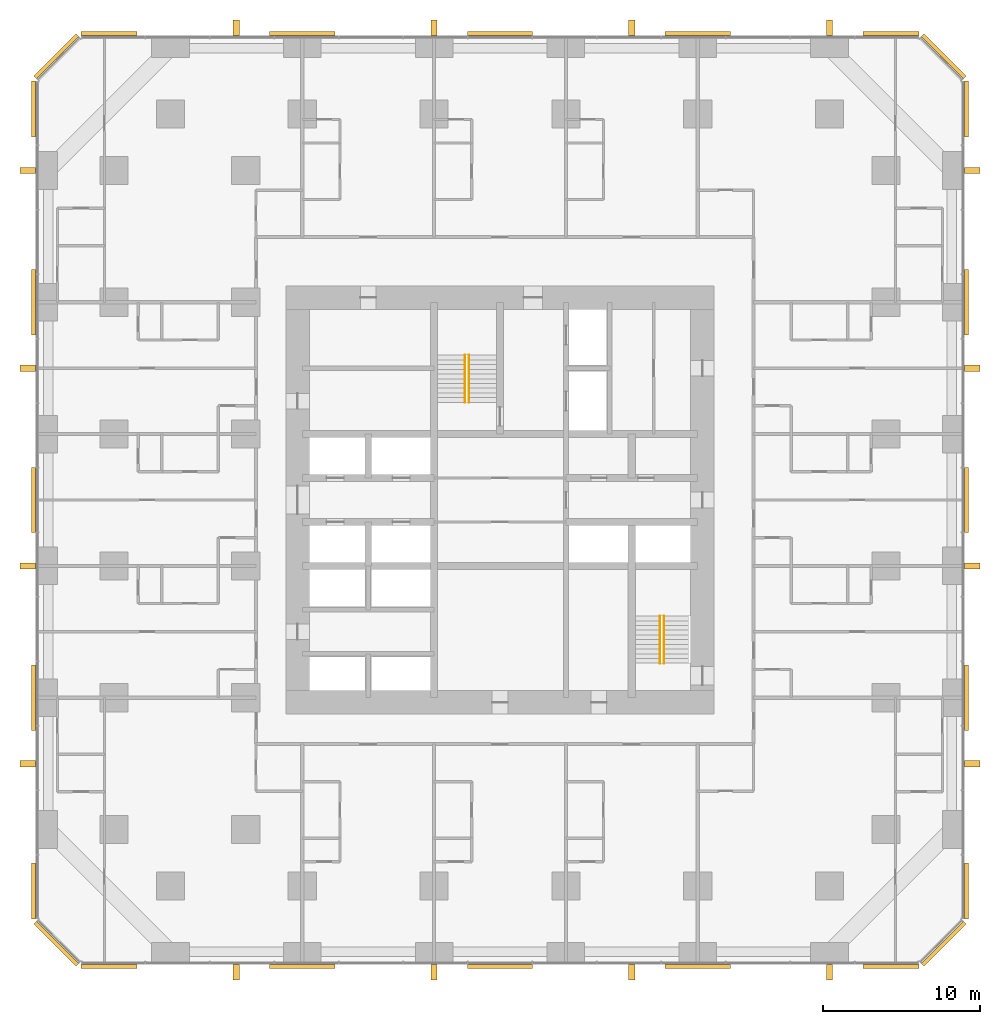
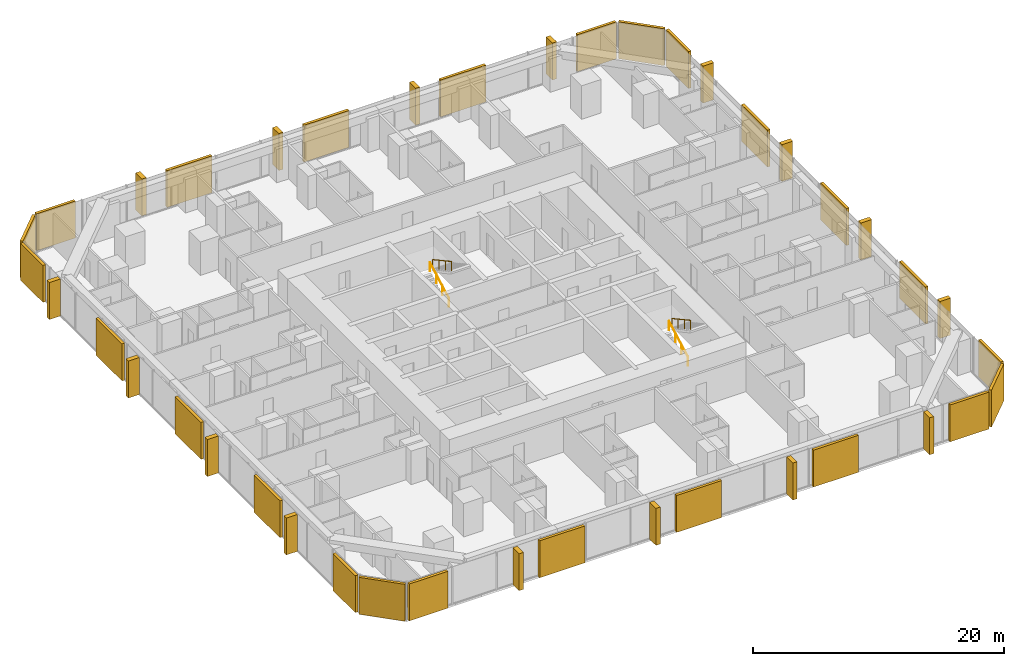
# One storey, part 17 of 17: 24 coverings, 16 shading devices, 4 railings.
"""IFC4 building model written with IfcOpenShell, lengths in metres."""

from ifc_helpers import new_model, si_unit, direction, frame, origin, origin_2d, place, context, subcontext, project, spatial, rectangle, circle, extrude, material, layer, layer_set, type_object, element, save


model = new_model("IFC4")

# Units and contexts
model_context = context("Model", 3, precision=1e-05, world=origin(), true_north=direction((0.0, 1.0)))
body_context = subcontext(model_context, "Body", "Model", "MODEL_VIEW")
ifc_project = project(units=[si_unit("LENGTHUNIT", "METRE"), si_unit("AREAUNIT", "SQUARE_METRE"), si_unit("VOLUMEUNIT", "CUBIC_METRE"), si_unit("PLANEANGLEUNIT", "RADIAN"), si_unit("MASSUNIT", "GRAM", prefix="KILO")], contexts=[model_context])

# Site, building, storey
site_placement = place(None, origin())
site = spatial("IfcSite", under=ifc_project, at=site_placement, CompositionType="ELEMENT")
building_placement = place(site_placement, origin())
building = spatial("IfcBuilding", under=site, at=building_placement, Name="Dunama Terrace Hotel", CompositionType="ELEMENT")
storey_placement = place(building_placement, frame((0.0, 0.0, 59.39990234375)))
storey = spatial("IfcBuildingStorey", under=building, at=storey_placement, Name="L14", CompositionType="ELEMENT", Elevation=59.39990234375)

# Railings
ifc_material_1 = material(Name="Stainless steel handrail", Category="steel")
railing_type = type_object("IfcRailingType", Name="Stair handrail 900", PredefinedType="HANDRAIL", material=ifc_material_1)
railing_1_placement = place(storey_placement, frame((27.175048828125, 35.625, 0.163818359375)))
element("IfcRailing", 1, at=railing_1_placement, inside=storey, type_object=railing_type, Name="Handrail ST1 L14", PredefinedType="HANDRAIL", context=body_context, shape_type="SweptSolid", body=[
    extrude(circle(Radius=0.02392578125, at=origin_2d()), frame((0.0, 0.0, 0.8759765625), z_axis=(0.0, 0.877911954615, 0.47882209634), x_axis=(-1.0, 0.0, 0.0)), (0.0, 0.0, 1.0), 3.417236328125),
    extrude(circle(Radius=0.02099609375, at=origin_2d()), origin(), (0.0, 0.0, 1.0), 0.851806640625),
    extrude(circle(Radius=0.02099609375, at=origin_2d()), frame((0.0, 1.0, 0.54541015625)), (0.0, 0.0, 1.0), 0.851806640625),
    extrude(circle(Radius=0.02099609375, at=origin_2d()), frame((0.0, 2.0, 1.0908203125)), (0.0, 0.0, 1.0), 0.851806640625),
    extrude(circle(Radius=0.02099609375, at=origin_2d()), frame((0.0, 3.0, 1.63623046875)), (0.0, 0.0, 1.0), 0.851806640625),
])
railing_2_placement = place(storey_placement, frame((27.425048828125, 38.625, 1.963623046875)))
element("IfcRailing", 2, at=railing_2_placement, inside=storey, type_object=railing_type, Name="Handrail ST1 L14", PredefinedType="HANDRAIL", context=body_context, shape_type="SweptSolid", body=[
    extrude(circle(Radius=0.02392578125, at=origin_2d()), frame((0.0, 0.0, 0.8759765625), z_axis=(0.0, -0.877881921179, 0.478877158013), x_axis=(1.0, 0.0, 0.0)), (0.0, 0.0, 1.0), 3.417236328125),
    extrude(circle(Radius=0.02099609375, at=origin_2d()), origin(), (0.0, 0.0, 1.0), 0.851806640625),
    extrude(circle(Radius=0.02099609375, at=origin_2d()), frame((0.0, -1.0, 0.54541015625)), (0.0, 0.0, 1.0), 0.851806640625),
    extrude(circle(Radius=0.02099609375, at=origin_2d()), frame((0.0, -2.0, 1.091064453125)), (0.0, 0.0, 1.0), 0.851806640625),
    extrude(circle(Radius=0.02099609375, at=origin_2d()), frame((0.0, -3.0, 1.636474609375)), (0.0, 0.0, 1.0), 0.851806640625),
])
railing_3_placement = place(storey_placement, frame((39.60009765625, 19.0, 0.163818359375)))
element("IfcRailing", 3, at=railing_3_placement, inside=storey, type_object=railing_type, Name="Handrail ST2 L14", PredefinedType="HANDRAIL", context=body_context, shape_type="SweptSolid", body=[
    extrude(circle(Radius=0.02392578125, at=origin_2d()), frame((0.0, 0.0, 0.8759765625), z_axis=(0.0, 0.877911954615, 0.47882209634), x_axis=(-1.0, 0.0, 0.0)), (0.0, 0.0, 1.0), 3.417236328125),
    extrude(circle(Radius=0.02099609375, at=origin_2d()), origin(), (0.0, 0.0, 1.0), 0.851806640625),
    extrude(circle(Radius=0.02099609375, at=origin_2d()), frame((0.0, 1.0, 0.54541015625)), (0.0, 0.0, 1.0), 0.851806640625),
    extrude(circle(Radius=0.02099609375, at=origin_2d()), frame((0.0, 2.0, 1.0908203125)), (0.0, 0.0, 1.0), 0.851806640625),
    extrude(circle(Radius=0.02099609375, at=origin_2d()), frame((0.0, 3.0, 1.63623046875)), (0.0, 0.0, 1.0), 0.851806640625),
])
railing_4_placement = place(storey_placement, frame((39.85009765625, 22.0, 1.963623046875)))
element("IfcRailing", 4, at=railing_4_placement, inside=storey, type_object=railing_type, Name="Handrail ST2 L14", PredefinedType="HANDRAIL", context=body_context, shape_type="SweptSolid", body=[
    extrude(circle(Radius=0.02392578125, at=origin_2d()), frame((0.0, 0.0, 0.8759765625), z_axis=(0.0, -0.877881921179, 0.478877158013), x_axis=(1.0, 0.0, 0.0)), (0.0, 0.0, 1.0), 3.417236328125),
    extrude(circle(Radius=0.02099609375, at=origin_2d()), origin(), (0.0, 0.0, 1.0), 0.851806640625),
    extrude(circle(Radius=0.02099609375, at=origin_2d()), frame((0.0, -1.0, 0.54541015625)), (0.0, 0.0, 1.0), 0.851806640625),
    extrude(circle(Radius=0.02099609375, at=origin_2d()), frame((0.0, -2.0, 1.091064453125)), (0.0, 0.0, 1.0), 0.851806640625),
    extrude(circle(Radius=0.02099609375, at=origin_2d()), frame((0.0, -3.0, 1.636474609375)), (0.0, 0.0, 1.0), 0.851806640625),
])

# Coverings
ifc_material_2 = material(Name="Warm reconstituted stone panel", Category="masonry")
ifc_layer_1 = layer(ifc_material_2, 0.25)
ifc_layer_set_1 = layer_set([ifc_layer_1], Name="Stone diagonal panel")
covering_type = type_object("IfcCoveringType", Name="Stone diagonal panel", PredefinedType="CLADDING", material=ifc_layer_set_1)
covering_1_placement = place(storey_placement, frame((4.489990234375, -0.322998046875, 0.001953125), z_axis=(0.0, 0.0, 1.0), x_axis=(1.0, 0.0, 0.0)))
element("IfcCovering", 5, at=covering_1_placement, inside=storey, type_object=covering_type, Name="Stone diagonal panel L14", PredefinedType="CLADDING", context=body_context, shape_type="SweptSolid", body=[
    extrude(rectangle(XDim=3.570068359375, YDim=0.25, at=origin_2d()), origin(), (0.0, 0.0, 1.0), 3.595947265625),
])
for number, where, z_axis, x_axis, name in (
    (6, (16.800048828125, -0.322998046875, 0.001953125), (0.0, 0.0, 1.0), (1.0, 0.0, 0.0), "Stone diagonal panel L14"),
    (7, (29.39990234375, -0.322998046875, 0.001953125), (0.0, 0.0, 1.0), (1.0, 0.0, 0.0), "Stone diagonal panel L14"),
    (8, (42.0, -0.322998046875, 0.001953125), (0.0, 0.0, 1.0), (1.0, 0.0, 0.0), "Stone diagonal panel L14"),
):
    element("IfcCovering", number, at=place(storey_placement, frame(where, z_axis=z_axis, x_axis=x_axis)), inside=storey, type_object=covering_type, Name=name, PredefinedType="CLADDING", context=body_context, shape_type="SweptSolid", body=[
        extrude(rectangle(XDim=4.14990234375, YDim=0.25, at=origin_2d()), origin(), (0.0, 0.0, 1.0), 3.595947265625),
    ])
covering_2_placement = place(storey_placement, frame((54.31005859375, -0.322998046875, 0.001953125), z_axis=(0.0, 0.0, 1.0), x_axis=(1.0, 0.0, 0.0)))
element("IfcCovering", 9, at=covering_2_placement, inside=storey, type_object=covering_type, Name="Stone diagonal panel L14", PredefinedType="CLADDING", context=body_context, shape_type="SweptSolid", body=[
    extrude(rectangle(XDim=3.570068359375, YDim=0.25, at=origin_2d()), origin(), (0.0, 0.0, 1.0), 3.595947265625),
])
covering_3_placement = place(storey_placement, frame((57.678955078125, 1.12109375, 0.001953125), z_axis=(0.0, 0.0, 1.0), x_axis=(0.707106781187, 0.707106781187, 0.0)))
element("IfcCovering", 10, at=covering_3_placement, inside=storey, type_object=covering_type, Name="Stone diagonal panel L14", PredefinedType="CLADDING", context=body_context, shape_type="SweptSolid", body=[
    extrude(rectangle(XDim=3.808349609375, YDim=0.25, at=origin_2d()), origin(), (0.0, 0.0, 1.0), 3.595947265625),
])
covering_4_placement = place(storey_placement, frame((59.123046875, 4.489990234375, 0.001953125), z_axis=(0.0, 0.0, 1.0), x_axis=(0.0, 1.0, 0.0)))
element("IfcCovering", 11, at=covering_4_placement, inside=storey, type_object=covering_type, Name="Stone diagonal panel L14", PredefinedType="CLADDING", context=body_context, shape_type="SweptSolid", body=[
    extrude(rectangle(XDim=3.570068359375, YDim=0.25, at=origin_2d()), origin(), (0.0, 0.0, 1.0), 3.595947265625),
])
for number, where, z_axis, x_axis, name in (
    (12, (59.123046875, 16.800048828125, 0.001953125), (0.0, 0.0, 1.0), (0.0, 1.0, 0.0), "Stone diagonal panel L14"),
    (13, (59.123046875, 29.39990234375, 0.001953125), (0.0, 0.0, 1.0), (0.0, 1.0, 0.0), "Stone diagonal panel L14"),
    (14, (59.123046875, 42.0, 0.001953125), (0.0, 0.0, 1.0), (0.0, 1.0, 0.0), "Stone diagonal panel L14"),
):
    element("IfcCovering", number, at=place(storey_placement, frame(where, z_axis=z_axis, x_axis=x_axis)), inside=storey, type_object=covering_type, Name=name, PredefinedType="CLADDING", context=body_context, shape_type="SweptSolid", body=[
        extrude(rectangle(XDim=4.14990234375, YDim=0.25, at=origin_2d()), origin(), (0.0, 0.0, 1.0), 3.595947265625),
    ])
covering_5_placement = place(storey_placement, frame((59.123046875, 54.31005859375, 0.001953125), z_axis=(0.0, 0.0, 1.0), x_axis=(0.0, 1.0, 0.0)))
element("IfcCovering", 15, at=covering_5_placement, inside=storey, type_object=covering_type, Name="Stone diagonal panel L14", PredefinedType="CLADDING", context=body_context, shape_type="SweptSolid", body=[
    extrude(rectangle(XDim=3.570068359375, YDim=0.25, at=origin_2d()), origin(), (0.0, 0.0, 1.0), 3.595947265625),
])
covering_6_placement = place(storey_placement, frame((57.678955078125, 57.678955078125, 0.001953125), z_axis=(0.0, 0.0, 1.0), x_axis=(-0.707106781187, 0.707106781187, 0.0)))
element("IfcCovering", 16, at=covering_6_placement, inside=storey, type_object=covering_type, Name="Stone diagonal panel L14", PredefinedType="CLADDING", context=body_context, shape_type="SweptSolid", body=[
    extrude(rectangle(XDim=3.808349609375, YDim=0.25, at=origin_2d()), origin(), (0.0, 0.0, 1.0), 3.595947265625),
])
covering_7_placement = place(storey_placement, frame((54.31005859375, 59.123046875, 0.001953125), z_axis=(0.0, 0.0, 1.0), x_axis=(-1.0, 0.0, 0.0)))
element("IfcCovering", 17, at=covering_7_placement, inside=storey, type_object=covering_type, Name="Stone diagonal panel L14", PredefinedType="CLADDING", context=body_context, shape_type="SweptSolid", body=[
    extrude(rectangle(XDim=3.570068359375, YDim=0.25, at=origin_2d()), origin(), (0.0, 0.0, 1.0), 3.595947265625),
])
for number, where, z_axis, x_axis, name in (
    (18, (42.0, 59.123046875, 0.001953125), (0.0, 0.0, 1.0), (-1.0, 0.0, 0.0), "Stone diagonal panel L14"),
    (19, (29.39990234375, 59.123046875, 0.001953125), (0.0, 0.0, 1.0), (-1.0, 0.0, 0.0), "Stone diagonal panel L14"),
    (20, (16.800048828125, 59.123046875, 0.001953125), (0.0, 0.0, 1.0), (-1.0, 0.0, 0.0), "Stone diagonal panel L14"),
):
    element("IfcCovering", number, at=place(storey_placement, frame(where, z_axis=z_axis, x_axis=x_axis)), inside=storey, type_object=covering_type, Name=name, PredefinedType="CLADDING", context=body_context, shape_type="SweptSolid", body=[
        extrude(rectangle(XDim=4.14990234375, YDim=0.25, at=origin_2d()), origin(), (0.0, 0.0, 1.0), 3.595947265625),
    ])
covering_8_placement = place(storey_placement, frame((4.489990234375, 59.123046875, 0.001953125), z_axis=(0.0, 0.0, 1.0), x_axis=(-1.0, 0.0, 0.0)))
element("IfcCovering", 21, at=covering_8_placement, inside=storey, type_object=covering_type, Name="Stone diagonal panel L14", PredefinedType="CLADDING", context=body_context, shape_type="SweptSolid", body=[
    extrude(rectangle(XDim=3.570068359375, YDim=0.25, at=origin_2d()), origin(), (0.0, 0.0, 1.0), 3.595947265625),
])
covering_9_placement = place(storey_placement, frame((1.12109375, 57.678955078125, 0.001953125), z_axis=(0.0, 0.0, 1.0), x_axis=(-0.707106781187, -0.707106781187, 0.0)))
element("IfcCovering", 22, at=covering_9_placement, inside=storey, type_object=covering_type, Name="Stone diagonal panel L14", PredefinedType="CLADDING", context=body_context, shape_type="SweptSolid", body=[
    extrude(rectangle(XDim=3.808349609375, YDim=0.25, at=origin_2d()), origin(), (0.0, 0.0, 1.0), 3.595947265625),
])
covering_10_placement = place(storey_placement, frame((-0.322998046875, 54.31005859375, 0.001953125), z_axis=(0.0, 0.0, 1.0), x_axis=(0.0, -1.0, 0.0)))
element("IfcCovering", 23, at=covering_10_placement, inside=storey, type_object=covering_type, Name="Stone diagonal panel L14", PredefinedType="CLADDING", context=body_context, shape_type="SweptSolid", body=[
    extrude(rectangle(XDim=3.570068359375, YDim=0.25, at=origin_2d()), origin(), (0.0, 0.0, 1.0), 3.595947265625),
])
for number, where, z_axis, x_axis, name in (
    (24, (-0.322998046875, 42.0, 0.001953125), (0.0, 0.0, 1.0), (0.0, -1.0, 0.0), "Stone diagonal panel L14"),
    (25, (-0.322998046875, 29.39990234375, 0.001953125), (0.0, 0.0, 1.0), (0.0, -1.0, 0.0), "Stone diagonal panel L14"),
    (26, (-0.322998046875, 16.800048828125, 0.001953125), (0.0, 0.0, 1.0), (0.0, -1.0, 0.0), "Stone diagonal panel L14"),
):
    element("IfcCovering", number, at=place(storey_placement, frame(where, z_axis=z_axis, x_axis=x_axis)), inside=storey, type_object=covering_type, Name=name, PredefinedType="CLADDING", context=body_context, shape_type="SweptSolid", body=[
        extrude(rectangle(XDim=4.14990234375, YDim=0.25, at=origin_2d()), origin(), (0.0, 0.0, 1.0), 3.595947265625),
    ])
covering_11_placement = place(storey_placement, frame((-0.322998046875, 4.489990234375, 0.001953125), z_axis=(0.0, 0.0, 1.0), x_axis=(0.0, -1.0, 0.0)))
element("IfcCovering", 27, at=covering_11_placement, inside=storey, type_object=covering_type, Name="Stone diagonal panel L14", PredefinedType="CLADDING", context=body_context, shape_type="SweptSolid", body=[
    extrude(rectangle(XDim=3.570068359375, YDim=0.25, at=origin_2d()), origin(), (0.0, 0.0, 1.0), 3.595947265625),
])
covering_12_placement = place(storey_placement, frame((1.12109375, 1.12109375, 0.001953125), z_axis=(0.0, 0.0, 1.0), x_axis=(0.707106781187, -0.707106781187, 0.0)))
element("IfcCovering", 28, at=covering_12_placement, inside=storey, type_object=covering_type, Name="Stone diagonal panel L14", PredefinedType="CLADDING", context=body_context, shape_type="SweptSolid", body=[
    extrude(rectangle(XDim=3.808349609375, YDim=0.25, at=origin_2d()), origin(), (0.0, 0.0, 1.0), 3.595947265625),
])

# Shading devices
ifc_material_3 = material(Name="Warm reconstituted stone fin", Category="masonry")
ifc_layer_2 = layer(ifc_material_3, 0.39990234375)
ifc_layer_set_2 = layer_set([ifc_layer_2], Name="Warm stone fin 400x1000")
shading_device_type = type_object("IfcShadingDeviceType", Name="Warm stone fin 400x1000", PredefinedType="USERDEFINED", material=ifc_layer_set_2)
for number, where, z_axis, x_axis, name in (
    (29, (12.60009765625, -0.68798828125, 0.0), (0.0, 0.0, 1.0), (1.0, 0.0, 0.0), "Stone fin"),
    (30, (25.199951171875, -0.68798828125, 0.0), (0.0, 0.0, 1.0), (1.0, 0.0, 0.0), "Stone fin"),
    (31, (37.800048828125, -0.68798828125, 0.0), (0.0, 0.0, 1.0), (1.0, 0.0, 0.0), "Stone fin"),
    (32, (50.39990234375, -0.68798828125, 0.0), (0.0, 0.0, 1.0), (1.0, 0.0, 0.0), "Stone fin"),
    (33, (59.488037109375, 12.60009765625, 0.0), (0.0, 0.0, 1.0), (0.0, 1.0, 0.0), "Stone fin"),
    (34, (59.488037109375, 25.199951171875, 0.0), (0.0, 0.0, 1.0), (0.0, 1.0, 0.0), "Stone fin"),
    (35, (59.488037109375, 37.800048828125, 0.0), (0.0, 0.0, 1.0), (0.0, 1.0, 0.0), "Stone fin"),
    (36, (59.488037109375, 50.39990234375, 0.0), (0.0, 0.0, 1.0), (0.0, 1.0, 0.0), "Stone fin"),
    (37, (50.39990234375, 59.488037109375, 0.0), (0.0, 0.0, 1.0), (-1.0, 0.0, 0.0), "Stone fin"),
    (38, (37.800048828125, 59.488037109375, 0.0), (0.0, 0.0, 1.0), (-1.0, 0.0, 0.0), "Stone fin"),
    (39, (25.199951171875, 59.488037109375, 0.0), (0.0, 0.0, 1.0), (-1.0, 0.0, 0.0), "Stone fin"),
    (40, (12.60009765625, 59.488037109375, 0.0), (0.0, 0.0, 1.0), (-1.0, 0.0, 0.0), "Stone fin"),
    (41, (-0.68798828125, 50.39990234375, 0.0), (0.0, 0.0, 1.0), (0.0, -1.0, 0.0), "Stone fin"),
    (42, (-0.68798828125, 37.800048828125, 0.0), (0.0, 0.0, 1.0), (0.0, -1.0, 0.0), "Stone fin"),
    (43, (-0.68798828125, 25.199951171875, 0.0), (0.0, 0.0, 1.0), (0.0, -1.0, 0.0), "Stone fin"),
    (44, (-0.68798828125, 12.60009765625, 0.0), (0.0, 0.0, 1.0), (0.0, -1.0, 0.0), "Stone fin"),
):
    element("IfcShadingDevice", number, at=place(storey_placement, frame(where, z_axis=z_axis, x_axis=x_axis)), inside=storey, type_object=shading_device_type, Name=name, ObjectType="FIN", PredefinedType="USERDEFINED", context=body_context, shape_type="SweptSolid", body=[
        extrude(rectangle(XDim=0.39990234375, YDim=1.0, at=origin_2d()), origin(), (0.0, 0.0, 1.0), 3.60009765625),
    ])

save(model, "model.ifc")
